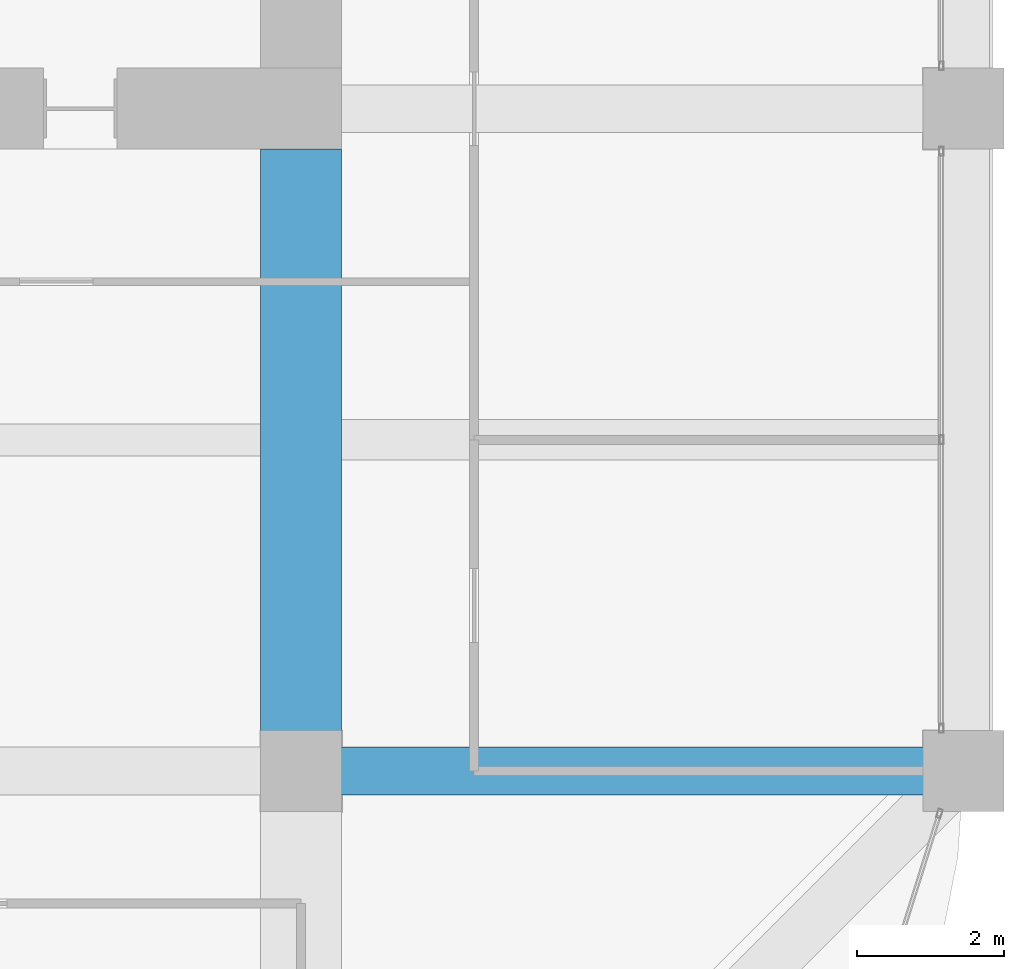
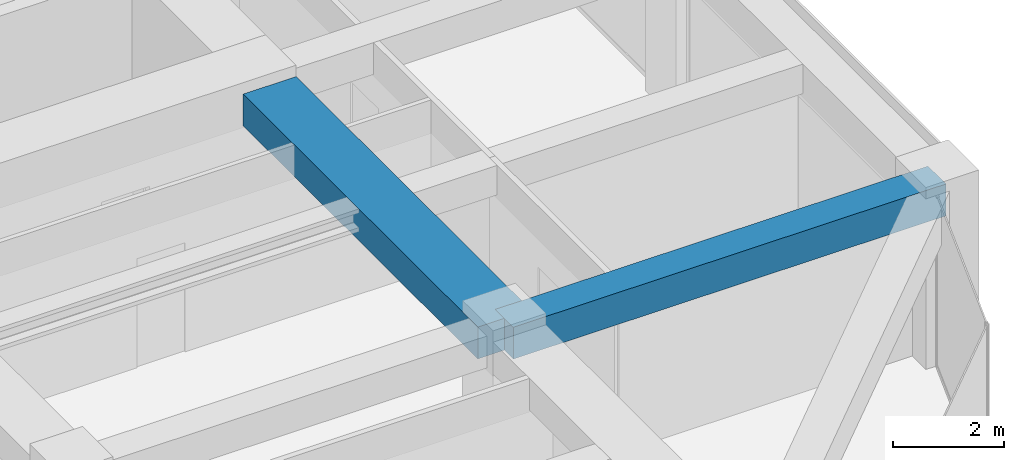
# One storey, part 21 of 44: 2 beams.
"""IFC4 building model written with IfcOpenShell, lengths in metres."""

from ifc_helpers import new_model, si_unit, direction, frame, origin, origin_2d, place, context, subcontext, project, spatial, rectangle, extrude, material, material_profile, profile_set, type_object, element, save


model = new_model("IFC4")

# Units and contexts
model_context = context("Model", 3, precision=1e-05, world=origin(), true_north=direction((0.0, 1.0)))
body_context = subcontext(model_context, "Body", "Model", "MODEL_VIEW")
ifc_project = project(units=[si_unit("LENGTHUNIT", "METRE"), si_unit("AREAUNIT", "SQUARE_METRE"), si_unit("VOLUMEUNIT", "CUBIC_METRE"), si_unit("PLANEANGLEUNIT", "RADIAN"), si_unit("MASSUNIT", "GRAM", prefix="KILO")], contexts=[model_context])

# Site, building, storey
site_placement = place(None, origin())
site = spatial("IfcSite", under=ifc_project, at=site_placement, CompositionType="ELEMENT")
building_placement = place(site_placement, origin())
building = spatial("IfcBuilding", under=site, at=building_placement, Name="Zorevar Civic Tower", CompositionType="ELEMENT")
storey_placement = place(building_placement, frame((0.0, 0.0, 287.39990234375)))
storey = spatial("IfcBuildingStorey", under=building, at=storey_placement, Name="L70", CompositionType="ELEMENT", Elevation=287.39990234375)

# Beams
ifc_material_1 = material(Name="Concrete C50/60", Category="concrete")
ifc_material_profile_1 = material_profile(ifc_material_1, rectangle(XDim=1.10009765625, YDim=0.699951171875, at=origin_2d()), Name="RC 1100x700")
ifc_profile_set_1 = profile_set([ifc_material_profile_1], Name="Concrete C50/60")
beam_type_1 = type_object("IfcBeamType", Name="Beam RC 1100x700", PredefinedType="BEAM", material=ifc_profile_set_1)
beam_1_placement = place(storey_placement, frame((45.0, 9.0, 3.400146484375), z_axis=(0.0, 1.0, 0.0), x_axis=(-1.0, 0.0, 0.0)))
element("IfcBeam", 1, at=beam_1_placement, inside=storey, type_object=beam_type_1, Name="Girder L71", PredefinedType="BEAM", context=body_context, shape_type="SweptSolid", body=[
    extrude(rectangle(XDim=1.10009765625, YDim=0.699951171875, at=origin_2d()), origin(), (0.0, 0.0, 1.0), 8.449951171875),
])
ifc_material_2 = material(Name="Concrete C50/60", Category="concrete")
ifc_material_profile_2 = material_profile(ifc_material_2, rectangle(XDim=0.64990234375, YDim=0.699951171875, at=origin_2d()), Name="RC 650x700")
ifc_profile_set_2 = profile_set([ifc_material_profile_2], Name="Concrete C50/60")
beam_type_2 = type_object("IfcBeamType", Name="Beam RC 650x700", PredefinedType="BEAM", material=ifc_profile_set_2)
beam_2_placement = place(storey_placement, frame((45.0, 9.0, 3.400146484375), z_axis=(1.0, 0.0, 0.0), x_axis=(0.0, 1.0, 0.0)))
element("IfcBeam", 2, at=beam_2_placement, inside=storey, type_object=beam_type_2, Name="Girder L71", PredefinedType="BEAM", context=body_context, shape_type="SweptSolid", body=[
    extrude(rectangle(XDim=0.64990234375, YDim=0.699951171875, at=origin_2d()), origin(), (0.0, 0.0, 1.0), 9.0),
])

save(model, "model.ifc")
